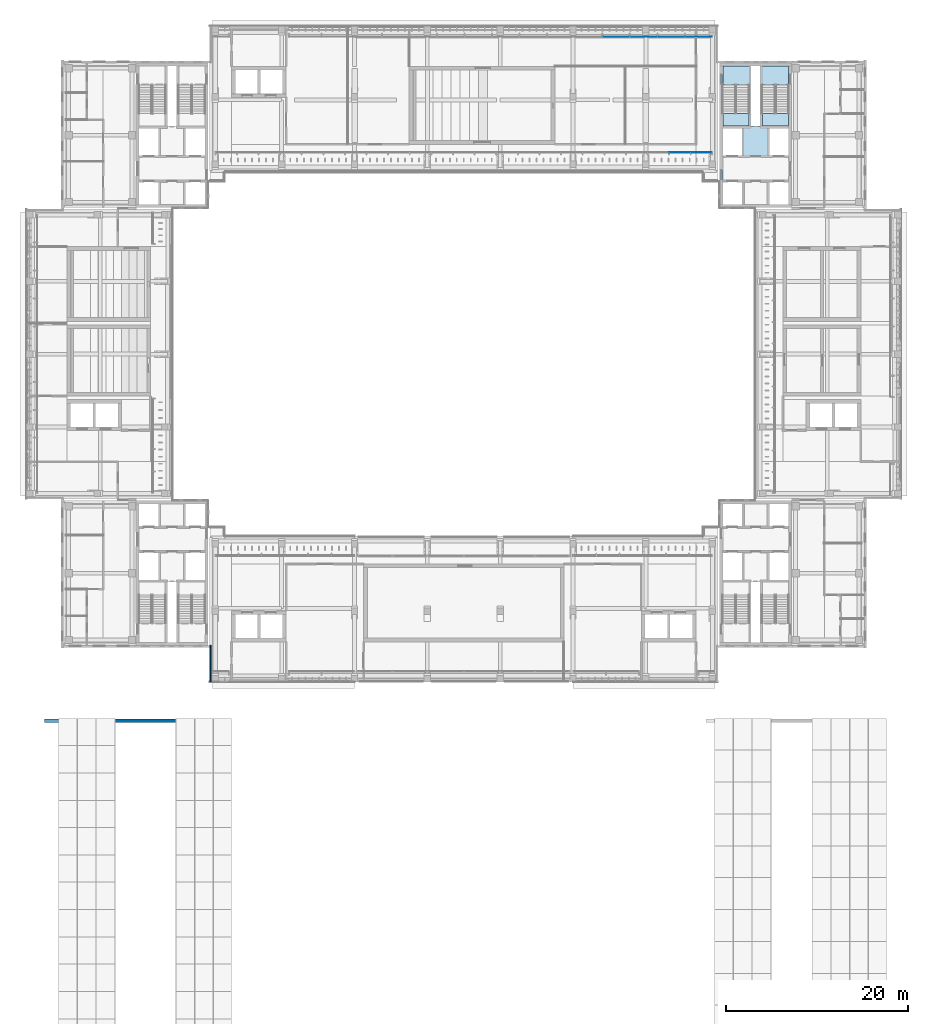
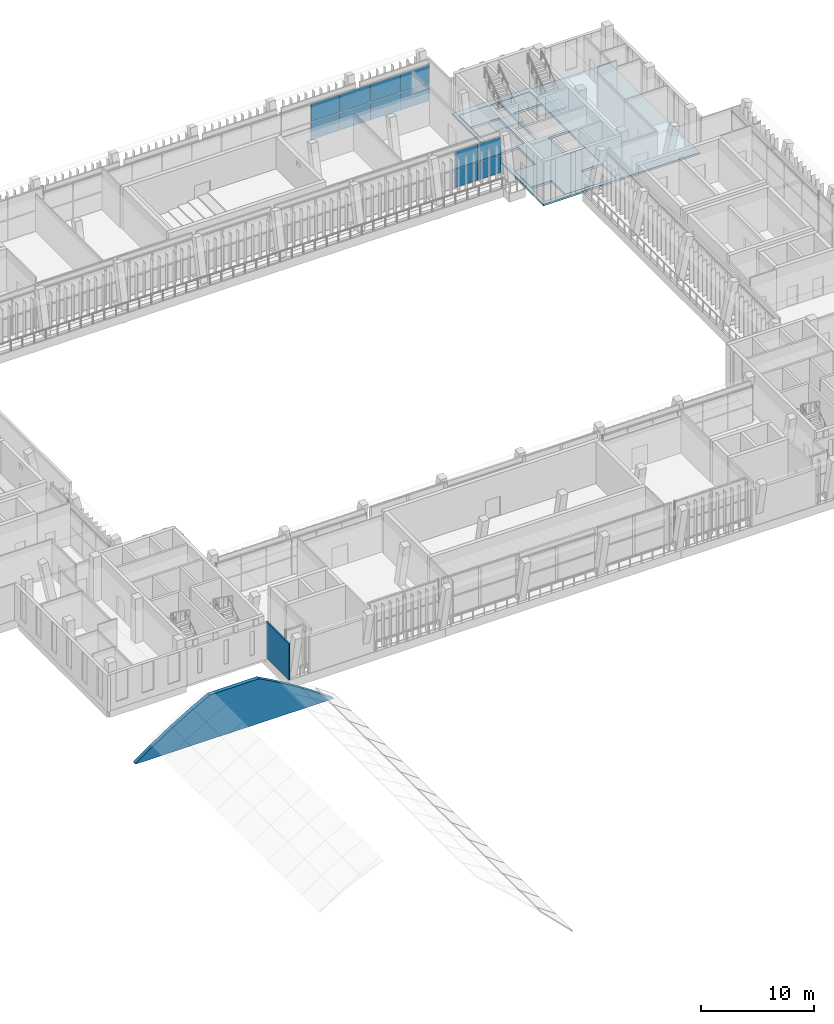
# One storey, part 41 of 74: 12 plates, 4 slabs, 2 walls, 4 elements without a shape of their own.
"""IFC4 building model written with IfcOpenShell, lengths in metres."""

from ifc_helpers import new_model, si_unit, direction, frame, frame_2d, origin, origin_2d, place, context, subcontext, project, spatial, polyline, rectangle, outline, extrude, material, layer, layer_set, type_object, element, aggregate, save


model = new_model("IFC4")

# Units and contexts
model_context = context("Model", 3, precision=1e-05, world=origin(), true_north=direction((0.0, 1.0)))
body_context = subcontext(model_context, "Body", "Model", "MODEL_VIEW")
ifc_project = project(units=[si_unit("LENGTHUNIT", "METRE"), si_unit("AREAUNIT", "SQUARE_METRE"), si_unit("VOLUMEUNIT", "CUBIC_METRE"), si_unit("PLANEANGLEUNIT", "RADIAN"), si_unit("MASSUNIT", "GRAM", prefix="KILO")], contexts=[model_context])

# Site, building, storey
site_placement = place(None, origin())
site = spatial("IfcSite", under=ifc_project, at=site_placement, CompositionType="ELEMENT")
building_placement = place(site_placement, origin())
building = spatial("IfcBuilding", under=site, at=building_placement, Name="Lantern Court Media Centre", CompositionType="ELEMENT")
storey_placement = place(building_placement, frame((0.0, 0.0, 19.199951171875)))
storey = spatial("IfcBuildingStorey", under=building, at=storey_placement, Name="L04", CompositionType="ELEMENT", Elevation=19.199951171875)

# Slab
ifc_material_1 = material(Name="Concrete C40", Category="concrete")
ifc_layer_1 = layer(ifc_material_1, 0.25)
ifc_layer_set_1 = layer_set([ifc_layer_1], Name="Concrete C40")
slab_type_1 = type_object("IfcSlabType", Name="Core floor slab 250", PredefinedType="FLOOR", material=ifc_layer_set_1)
slab_1_placement = place(storey_placement, frame((0.0, 0.0, -0.25)))
element("IfcSlab", 1, at=slab_1_placement, inside=storey, type_object=slab_type_1, Name="L04 NE core floor", PredefinedType="FLOOR", context=body_context, shape_type="SweptSolid", body=[
    extrude(outline(polyline([(87.64990234375, 101.800048828125), (87.64990234375, 98.89990234375), (85.550048828125, 98.89990234375), (85.550048828125, 96.449951171875), (82.550048828125, 96.449951171875), (82.550048828125, 98.89990234375), (80.449951171875, 98.89990234375), (80.449951171875, 101.800048828125), (82.550048828125, 101.800048828125), (82.550048828125, 104.800048828125), (80.449951171875, 104.800048828125), (80.449951171875, 105.05029296875), (83.299560546875, 105.05029296875), (83.299560546875, 109.549560546875), (80.449951171875, 109.549560546875), (80.449951171875, 111.64990234375), (83.550048828125, 111.64990234375), (83.550048828125, 105.050048828125), (84.550048828125, 105.050048828125), (84.550048828125, 111.64990234375), (87.64990234375, 111.64990234375), (87.64990234375, 109.549560546875), (84.80029296875, 109.549560546875), (84.80029296875, 105.05029296875), (87.64990234375, 105.05029296875), (87.64990234375, 104.800048828125), (85.550048828125, 104.800048828125), (85.550048828125, 101.800048828125), (87.64990234375, 101.800048828125)])), origin(), (0.0, 0.0, 1.0), 0.25),
])

# Curtain wall, plates
ifc_material_2 = material(Name="Curtain wall bay 2400")
curtain_wall_type_1 = type_object("IfcCurtainWallType", Name="Curtain wall bay 2400", PredefinedType="NOTDEFINED", material=ifc_material_2)
curtain_wall_1_placement = place(storey_placement, origin())
curtain_wall_1 = element("IfcCurtainWall", 2, at=curtain_wall_1_placement, inside=storey, type_object=curtain_wall_type_1, Name="Curtain wall N inner L04", PredefinedType="NOTDEFINED")
ifc_material_3 = material(Name="Low-iron double glazed unit glass", Category="glass")
ifc_layer_2 = layer(ifc_material_3, 0.02392578125)
ifc_layer_set_2 = layer_set([ifc_layer_2], Name="Low-iron double glazed unit glass")
plate_type_1 = type_object("IfcPlateType", Name="Curtain wall glazing unit 24", PredefinedType="CURTAIN_PANEL", material=ifc_layer_set_2)
plate_1_placement = place(storey_placement, frame((75.739013671875, 102.14990234375, 0.050048828125), z_axis=(0.0, 0.0, 1.0), x_axis=(1.0, 0.0, 0.0)))
plate_1 = element("IfcPlate", 3, at=plate_1_placement, type_object=plate_type_1, Name="CW2 panel 22.1", PredefinedType="CURTAIN_PANEL", context=body_context, shape_type="SweptSolid", body=[
    extrude(rectangle(XDim=2.323974609375, YDim=0.02392578125, at=origin_2d()), origin(), (0.0, 0.0, 1.0), 1.89990234375),
])
plate_2_placement = place(storey_placement, frame((75.739013671875, 102.14990234375, 2.0), z_axis=(0.0, 0.0, 1.0), x_axis=(1.0, 0.0, 0.0)))
plate_2 = element("IfcPlate", 4, at=plate_2_placement, type_object=plate_type_1, Name="CW2 panel 22.2", PredefinedType="CURTAIN_PANEL", context=body_context, shape_type="SweptSolid", body=[
    extrude(rectangle(XDim=2.323974609375, YDim=0.02392578125, at=origin_2d()), origin(), (0.0, 0.0, 1.0), 1.89990234375),
])
plate_3_placement = place(storey_placement, frame((78.1005859375, 102.14990234375, 0.050048828125), z_axis=(0.0, 0.0, 1.0), x_axis=(1.0, 0.0, 0.0)))
plate_3 = element("IfcPlate", 5, at=plate_3_placement, type_object=plate_type_1, Name="CW2 panel 23.1", PredefinedType="CURTAIN_PANEL", context=body_context, shape_type="SweptSolid", body=[
    extrude(rectangle(XDim=2.298828125, YDim=0.02392578125, at=origin_2d()), origin(), (0.0, 0.0, 1.0), 1.89990234375),
])
plate_4_placement = place(storey_placement, frame((78.1005859375, 102.14990234375, 2.0), z_axis=(0.0, 0.0, 1.0), x_axis=(1.0, 0.0, 0.0)))
plate_4 = element("IfcPlate", 6, at=plate_4_placement, type_object=plate_type_1, Name="CW2 panel 23.2", PredefinedType="CURTAIN_PANEL", context=body_context, shape_type="SweptSolid", body=[
    extrude(rectangle(XDim=2.298828125, YDim=0.02392578125, at=origin_2d()), origin(), (0.0, 0.0, 1.0), 1.89990234375),
])
aggregate(curtain_wall_1, [plate_1, plate_2, plate_3, plate_4])

ifc_material_4 = material(Name="Curtain wall bay 3000")
curtain_wall_type_2 = type_object("IfcCurtainWallType", Name="Curtain wall bay 3000", PredefinedType="NOTDEFINED", material=ifc_material_4)
curtain_wall_2_placement = place(storey_placement, origin())
curtain_wall_2 = element("IfcCurtainWall", 7, at=curtain_wall_2_placement, inside=storey, type_object=curtain_wall_type_2, Name="Curtain wall N outer L04", PredefinedType="NOTDEFINED")
ifc_layer_3 = layer(ifc_material_3, 0.028076171875)
ifc_layer_set_3 = layer_set([ifc_layer_3], Name="Low-iron double glazed unit glass")
plate_type_2 = type_object("IfcPlateType", Name="Curtain wall glazing unit 28", PredefinedType="CURTAIN_PANEL", material=ifc_layer_set_3)
plate_5_placement = place(storey_placement, frame((68.71923828125, 114.85009765625, 0.06005859375), z_axis=(0.0, 0.0, 1.0), x_axis=(1.0, 0.0, 0.0)))
plate_5 = element("IfcPlate", 8, at=plate_5_placement, type_object=plate_type_2, Name="CW1 panel 10.1", PredefinedType="CURTAIN_PANEL", context=body_context, shape_type="SweptSolid", body=[
    extrude(rectangle(XDim=2.963134765625, YDim=0.028076171875, at=origin_2d()), origin(), (0.0, 0.0, 1.0), 1.885009765625),
])
plate_6_placement = place(storey_placement, frame((68.71923828125, 114.85009765625, 2.0048828125), z_axis=(0.0, 0.0, 1.0), x_axis=(1.0, 0.0, 0.0)))
plate_6 = element("IfcPlate", 9, at=plate_6_placement, type_object=plate_type_2, Name="CW1 panel 10.2", PredefinedType="CURTAIN_PANEL", context=body_context, shape_type="SweptSolid", body=[
    extrude(rectangle(XDim=2.963134765625, YDim=0.028076171875, at=origin_2d()), origin(), (0.0, 0.0, 1.0), 1.885009765625),
])
plate_7_placement = place(storey_placement, frame((71.7421875, 114.85009765625, 0.06005859375), z_axis=(0.0, 0.0, 1.0), x_axis=(1.0, 0.0, 0.0)))
plate_7 = element("IfcPlate", 10, at=plate_7_placement, type_object=plate_type_2, Name="CW1 panel 11.1", PredefinedType="CURTAIN_PANEL", context=body_context, shape_type="SweptSolid", body=[
    extrude(rectangle(XDim=2.963134765625, YDim=0.028076171875, at=origin_2d()), origin(), (0.0, 0.0, 1.0), 1.885009765625),
])
plate_8_placement = place(storey_placement, frame((71.7421875, 114.85009765625, 2.0048828125), z_axis=(0.0, 0.0, 1.0), x_axis=(1.0, 0.0, 0.0)))
plate_8 = element("IfcPlate", 11, at=plate_8_placement, type_object=plate_type_2, Name="CW1 panel 11.2", PredefinedType="CURTAIN_PANEL", context=body_context, shape_type="SweptSolid", body=[
    extrude(rectangle(XDim=2.963134765625, YDim=0.028076171875, at=origin_2d()), origin(), (0.0, 0.0, 1.0), 1.885009765625),
])
plate_9_placement = place(storey_placement, frame((74.765380859375, 114.85009765625, 0.06005859375), z_axis=(0.0, 0.0, 1.0), x_axis=(1.0, 0.0, 0.0)))
plate_9 = element("IfcPlate", 12, at=plate_9_placement, type_object=plate_type_2, Name="CW1 panel 12.1", PredefinedType="CURTAIN_PANEL", context=body_context, shape_type="SweptSolid", body=[
    extrude(rectangle(XDim=2.963134765625, YDim=0.028076171875, at=origin_2d()), origin(), (0.0, 0.0, 1.0), 1.885009765625),
])
plate_10_placement = place(storey_placement, frame((74.765380859375, 114.85009765625, 2.0048828125), z_axis=(0.0, 0.0, 1.0), x_axis=(1.0, 0.0, 0.0)))
plate_10 = element("IfcPlate", 13, at=plate_10_placement, type_object=plate_type_2, Name="CW1 panel 12.2", PredefinedType="CURTAIN_PANEL", context=body_context, shape_type="SweptSolid", body=[
    extrude(rectangle(XDim=2.963134765625, YDim=0.028076171875, at=origin_2d()), origin(), (0.0, 0.0, 1.0), 1.885009765625),
])
plate_11_placement = place(storey_placement, frame((77.7734375, 114.85009765625, 0.06005859375), z_axis=(0.0, 0.0, 1.0), x_axis=(1.0, 0.0, 0.0)))
plate_11 = element("IfcPlate", 14, at=plate_11_placement, type_object=plate_type_2, Name="CW1 panel 13.1", PredefinedType="CURTAIN_PANEL", context=body_context, shape_type="SweptSolid", body=[
    extrude(rectangle(XDim=2.93310546875, YDim=0.028076171875, at=origin_2d()), origin(), (0.0, 0.0, 1.0), 1.885009765625),
])
plate_12_placement = place(storey_placement, frame((77.7734375, 114.85009765625, 2.0048828125), z_axis=(0.0, 0.0, 1.0), x_axis=(1.0, 0.0, 0.0)))
plate_12 = element("IfcPlate", 15, at=plate_12_placement, type_object=plate_type_2, Name="CW1 panel 13.2", PredefinedType="CURTAIN_PANEL", context=body_context, shape_type="SweptSolid", body=[
    extrude(rectangle(XDim=2.93310546875, YDim=0.028076171875, at=origin_2d()), origin(), (0.0, 0.0, 1.0), 1.885009765625),
])
aggregate(curtain_wall_2, [plate_5, plate_6, plate_7, plate_8, plate_9, plate_10, plate_11, plate_12])

# Slab
ifc_material_5 = material(Name="Concrete C35", Category="concrete")
ifc_layer_4 = layer(ifc_material_5, 0.199951171875)
ifc_layer_set_4 = layer_set([ifc_layer_4], Name="Concrete C35")
slab_type_2 = type_object("IfcSlabType", Name="RC FLOOR SLAB 200", PredefinedType="FLOOR", material=ifc_layer_set_4)
slab_2_placement = place(storey_placement, frame((0.0, 0.0, -0.199951171875)))
element("IfcSlab", 16, at=slab_2_placement, inside=storey, type_object=slab_type_2, Name="SL-NE-L04", PredefinedType="FLOOR", context=body_context, shape_type="SweptSolid", body=[
    extrude(outline(polyline([(80.10009765625, 112.0), (80.10009765625, 112.219970703125), (88.10009765625, 112.219970703125), (88.10009765625, 112.0), (96.0, 112.0), (96.0, 96.10009765625), (80.10009765625, 96.10009765625), (80.10009765625, 112.0)]), holes=[polyline([(80.449951171875, 111.64990234375), (80.449951171875, 96.449951171875), (87.64990234375, 96.449951171875), (87.64990234375, 111.64990234375), (80.449951171875, 111.64990234375)])]), origin(), (0.0, 0.0, 1.0), 0.199951171875),
])

# Stair, slab
stair_type = type_object("IfcStairType", Name="Exit stair 1350", PredefinedType="HALF_TURN_STAIR", material=ifc_material_1)
stair_1_placement = place(storey_placement, origin())
stair_1 = element("IfcStair", 17, at=stair_1_placement, inside=storey, type_object=stair_type, Name="L04 NE exit stair A", PredefinedType="HALF_TURN_STAIR")
ifc_layer_5 = layer(ifc_material_1, 0.199951171875)
ifc_layer_set_5 = layer_set([ifc_layer_5], Name="Concrete C40")
slab_type_3 = type_object("IfcSlabType", Name="Stair landing RC 200", PredefinedType="LANDING", material=ifc_layer_set_5)
slab_3_placement = place(storey_placement, frame((0.0, 0.0, 2.199951171875)))
slab_3 = element("IfcSlab", 18, at=slab_3_placement, type_object=slab_type_3, Name="ST-NEA landing 1", PredefinedType="LANDING", context=body_context, shape_type="SweptSolid", body=[
    extrude(outline(polyline([(84.800048828125, 106.429931640625), (84.800048828125, 105.050048828125), (87.64990234375, 105.050048828125), (87.64990234375, 106.429931640625), (84.800048828125, 106.429931640625)])), origin(), (0.0, 0.0, 1.0), 0.2001953125),
])
aggregate(stair_1, [slab_3])

stair_2_placement = place(storey_placement, origin())
stair_2 = element("IfcStair", 19, at=stair_2_placement, inside=storey, type_object=stair_type, Name="L04 NE exit stair B", PredefinedType="HALF_TURN_STAIR")
slab_4_placement = place(storey_placement, frame((0.0, 0.0, 2.199951171875)))
slab_4 = element("IfcSlab", 20, at=slab_4_placement, type_object=slab_type_3, Name="ST-NEB landing 1", PredefinedType="LANDING", context=body_context, shape_type="SweptSolid", body=[
    extrude(outline(polyline([(80.449951171875, 106.429931640625), (80.449951171875, 105.050048828125), (83.300048828125, 105.050048828125), (83.300048828125, 106.429931640625), (80.449951171875, 106.429931640625)])), origin(), (0.0, 0.0, 1.0), 0.2001953125),
])
aggregate(stair_2, [slab_4])

# Walls
ifc_material_6 = material(Name="Limestone masonry, insulated", Category="masonry")
ifc_layer_6 = layer(ifc_material_6, 0.39990234375)
ifc_layer_set_6 = layer_set([ifc_layer_6], Name="Limestone masonry, insulated")
wall_type_1 = type_object("IfcWallType", Name="Hall upper gable wall, stone-faced masonry 400", PredefinedType="SOLIDWALL", material=ifc_layer_set_6)
wall_1_placement = place(storey_placement, frame((5.93505859375, 39.75, 0.0), z_axis=(0.0, 0.0, 1.0), x_axis=(1.0, 0.0, 0.0)))
element("IfcWall", 21, at=wall_1_placement, inside=storey, type_object=wall_type_1, Name="Cinema Hall north gable L04", PredefinedType="SOLIDWALL", context=body_context, shape_type="SweptSolid", body=[
    extrude(outline(polyline([(0.0, 0.0), (20.1298828125, 0.0), (20.129638671875, 0.050048828125), (19.881103515625, 0.232421875), (19.6328125, 0.41259765625), (19.38427734375, 0.591064453125), (19.1357421875, 0.767333984375), (18.88720703125, 0.942138671875), (18.638671875, 1.11474609375), (18.39013671875, 1.28564453125), (18.1416015625, 1.45458984375), (17.89306640625, 1.6220703125), (17.64453125, 1.787353515625), (17.39599609375, 1.950927734375), (17.147705078125, 2.113037109375), (16.89892578125, 2.27294921875), (16.650390625, 2.431396484375), (16.402099609375, 2.588134765625), (16.153564453125, 2.7431640625), (15.905029296875, 2.896484375), (15.656494140625, 3.04833984375), (15.407958984375, 3.1982421875), (15.159423828125, 3.3466796875), (14.910888671875, 3.49365234375), (14.662353515625, 3.638671875), (14.413818359375, 3.7822265625), (14.165283203125, 3.92431640625), (13.9169921875, 4.064697265625), (13.668212890625, 4.20361328125), (13.419921875, 4.341064453125), (13.17138671875, 4.476806640625), (12.9228515625, 4.611083984375), (12.67431640625, 4.743896484375), (12.568359375, 4.800048828125), (12.42578125, 4.800048828125), (12.17724609375, 4.800048828125), (11.9287109375, 4.800048828125), (11.68017578125, 4.800048828125), (11.431640625, 4.800048828125), (11.18310546875, 4.800048828125), (10.934814453125, 4.800048828125), (10.686279296875, 4.800048828125), (10.4375, 4.800048828125), (10.189208984375, 4.800048828125), (9.940673828125, 4.800048828125), (9.692138671875, 4.800048828125), (9.443603515625, 4.800048828125), (9.195068359375, 4.800048828125), (8.946533203125, 4.800048828125), (8.697998046875, 4.800048828125), (8.449462890625, 4.800048828125), (8.200927734375, 4.800048828125), (7.952392578125, 4.800048828125), (7.7041015625, 4.800048828125), (7.561279296875, 4.800048828125), (7.45556640625, 4.743896484375), (7.206787109375, 4.611083984375), (6.95849609375, 4.476806640625), (6.7099609375, 4.341064453125), (6.46142578125, 4.20361328125), (6.212890625, 4.064697265625), (5.96435546875, 3.92431640625), (5.7158203125, 3.7822265625), (5.46728515625, 3.638671875), (5.21875, 3.49365234375), (4.97021484375, 3.3466796875), (4.7216796875, 3.1982421875), (4.473388671875, 3.04833984375), (4.224853515625, 2.896484375), (3.976318359375, 2.7431640625), (3.727783203125, 2.588134765625), (3.479248046875, 2.431396484375), (3.230712890625, 2.27294921875), (2.982177734375, 2.113037109375), (2.733642578125, 1.950927734375), (2.485107421875, 1.787353515625), (2.236572265625, 1.6220703125), (1.988037109375, 1.45458984375), (1.739501953125, 1.28564453125), (1.4912109375, 1.11474609375), (1.24267578125, 0.942138671875), (0.994140625, 0.767333984375), (0.74560546875, 0.591064453125), (0.4970703125, 0.41259765625), (0.24853515625, 0.232421875), (0.0, 0.050048828125), (0.0, 0.0)])), frame((0.0, 0.199951171875, 0.0), z_axis=(0.0, -1.0, 0.0), x_axis=(1.0, 0.0, 0.0)), (0.0, 0.0, 1.0), 0.39990234375),
])
ifc_material_7 = material(Name="Honed limestone cladding on blockwork", Category="masonry")
ifc_layer_7 = layer(ifc_material_7, 0.139892578125)
ifc_layer_set_7 = layer_set([ifc_layer_7], Name="Honed limestone cladding on blockwork")
wall_type_2 = type_object("IfcWallType", Name="Limestone closure wall 140", PredefinedType="SOLIDWALL", material=ifc_layer_set_7)
wall_2_placement = place(storey_placement, frame((24.169921875, 44.0, 0.0), z_axis=(0.0, 0.0, 1.0), x_axis=(0.0, 1.0, 0.0)))
element("IfcWall", 22, at=wall_2_placement, inside=storey, type_object=wall_type_2, Name="Limestone closure wall S-SW L04", PredefinedType="SOLIDWALL", context=body_context, shape_type="SweptSolid", body=[
    extrude(rectangle(XDim=4.0, YDim=0.139892578125, at=frame_2d((2.0, 0.0))), origin(), (0.0, 0.0, 1.0), 3.900146484375),
])

save(model, "model.ifc")
